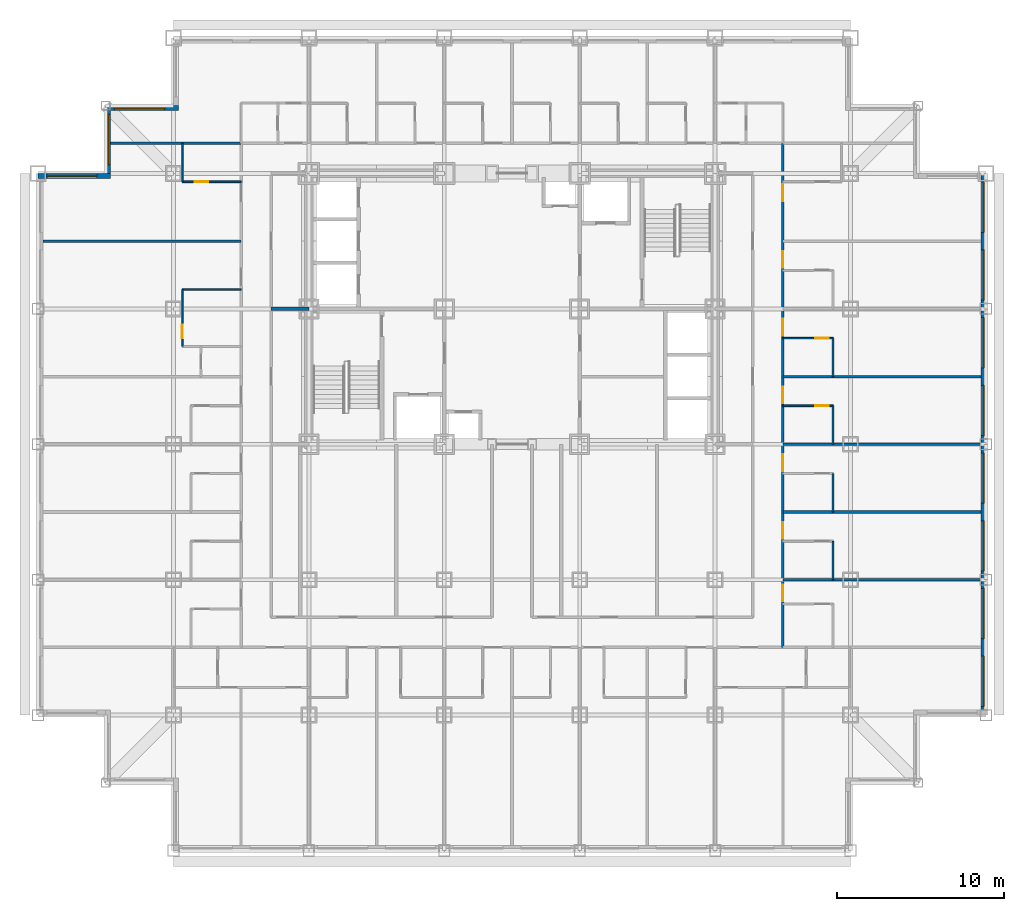
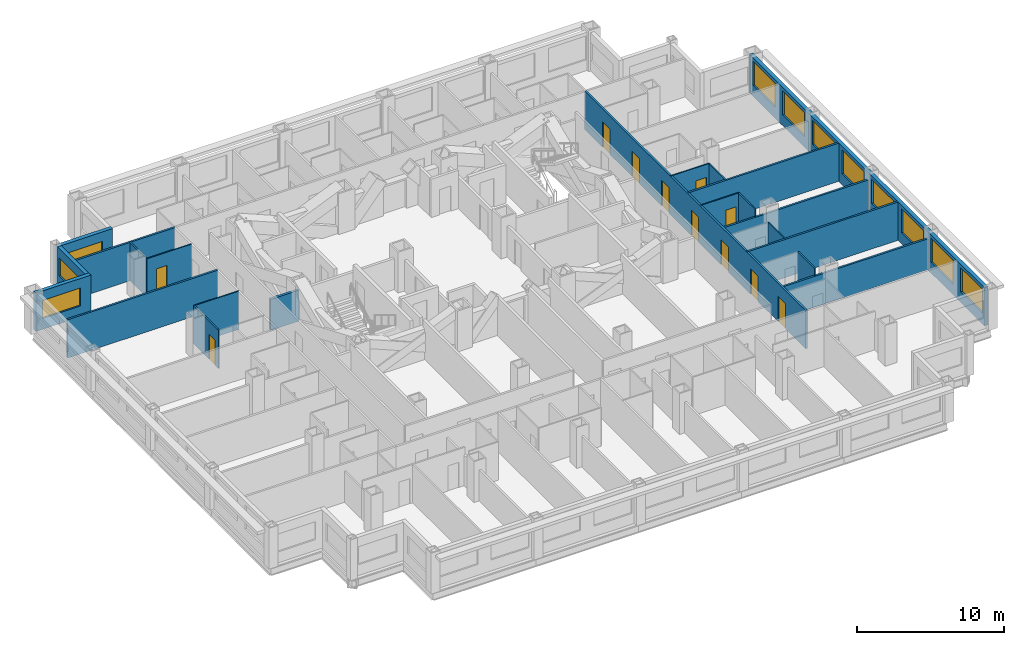
# One storey, part 7 of 11: 22 walls, 11 doors, 11 windows, 22 openings.
"""IFC4 building model written with IfcOpenShell, lengths in metres."""

from ifc_helpers import new_model, si_unit, direction, frame, frame_2d, origin, place, context, subcontext, project, spatial, rectangle, extrude, material, layer, layer_set, type_object, element, fill, save


model = new_model("IFC4")

# Units and contexts
model_context = context("Model", 3, precision=1e-05, world=origin(), true_north=direction((0.0, 1.0)))
body_context = subcontext(model_context, "Body", "Model", "MODEL_VIEW")
ifc_project = project(units=[si_unit("LENGTHUNIT", "METRE"), si_unit("AREAUNIT", "SQUARE_METRE"), si_unit("VOLUMEUNIT", "CUBIC_METRE"), si_unit("PLANEANGLEUNIT", "RADIAN"), si_unit("MASSUNIT", "GRAM", prefix="KILO")], contexts=[model_context])

# Site, building, storey
site_placement = place(None, origin())
site = spatial("IfcSite", under=ifc_project, at=site_placement, CompositionType="ELEMENT")
building_placement = place(site_placement, origin())
building = spatial("IfcBuilding", under=site, at=building_placement, Name="Kopane Lantern Tower", CompositionType="ELEMENT")
storey_placement = place(building_placement, frame((0.0, 0.0, 60.199951171875)))
storey = spatial("IfcBuildingStorey", under=building, at=storey_placement, Name="L14", CompositionType="ELEMENT", Elevation=60.199951171875)

# Wall, opening, door
ifc_material_1 = material(Name="Moisture-resistant board on steel studs", Category="steel")
ifc_layer_1 = layer(ifc_material_1, 0.10009765625)
ifc_layer_set_1 = layer_set([ifc_layer_1], Name="BATHROOM WALL 100")
wall_type_1 = type_object("IfcWallType", Name="BATHROOM WALL 100", PredefinedType="PARTITIONING", material=ifc_layer_set_1)
wall_1_placement = place(storey_placement, frame((8.635009765625, 30.14990234375, 0.0), z_axis=(0.0, 0.0, 1.0), x_axis=(0.0, 1.0, 0.0)))
wall_1 = element("IfcWall", 1, at=wall_1_placement, inside=storey, type_object=wall_type_1, Name="Bathroom Wall 100 L14", PredefinedType="PARTITIONING", context=body_context, shape_type="SweptSolid", body=[
    extrude(rectangle(XDim=3.400146484375, YDim=0.10009765625, at=frame_2d((1.7001953125, 0.0))), origin(), (0.0, 0.0, 1.0), 3.18994140625),
])
opening_1_placement = place(wall_1_placement, frame((0.487548828125, 0.0, 0.0)))
opening_1 = element("IfcOpeningElement", 2, at=opening_1_placement, cuts=wall_1, Name="Opening L14-043", PredefinedType="OPENING", context=body_context, shape_type="SweptSolid", body=[
    extrude(rectangle(XDim=0.800048828125, YDim=2.10009765625, at=frame_2d((0.39990234375, 1.050048828125))), frame((0.0, 0.06005859375, 0.0), z_axis=(0.0, -1.0, 0.0), x_axis=(1.0, 0.0, 0.0)), (0.0, 0.0, 1.0), 0.1201171875),
])
ifc_material_2 = material(Name="Timber door set", Category="wood")
door_type_1 = type_object("IfcDoorType", Name="DOOR D2 800x2100", OperationType="SINGLE_SWING_LEFT", PredefinedType="DOOR", material=ifc_material_2)
door_1_placement = place(opening_1_placement, origin())
door_1 = element("IfcDoor", 3, at=door_1_placement, inside=storey, type_object=door_type_1, Name="Door L14-043", OperationType="SINGLE_SWING_RIGHT", OverallHeight=2.10009765625, OverallWidth=0.800048828125, PredefinedType="DOOR", context=body_context, shape_type="SweptSolid", body=[
    extrude(rectangle(XDim=0.800048828125, YDim=2.10009765625, at=frame_2d((0.39990234375, 1.050048828125))), frame((0.0, 0.02490234375, 0.0), z_axis=(0.0, -1.0, 0.0), x_axis=(1.0, 0.0, 0.0)), (0.0, 0.0, 1.0), 0.050048828125),
])
fill(opening_1, door_1)

# Walls
wall_2_placement = place(storey_placement, frame((12.14990234375, 33.550048828125, 0.0), z_axis=(0.0, 0.0, 1.0), x_axis=(-1.0, 0.0, 0.0)))
element("IfcWall", 4, at=wall_2_placement, inside=storey, type_object=wall_type_1, Name="Bathroom Wall 100 L14", PredefinedType="PARTITIONING", context=body_context, shape_type="SweptSolid", body=[
    extrude(rectangle(XDim=3.514892578125, YDim=0.10009765625, at=frame_2d((1.75732421875, 0.0))), origin(), (0.0, 0.0, 1.0), 3.18994140625),
])
wall_3_placement = place(storey_placement, frame((8.635009765625, 40.0, 0.0), z_axis=(0.0, 0.0, 1.0), x_axis=(0.0, 1.0, 0.0)))
element("IfcWall", 5, at=wall_3_placement, inside=storey, type_object=wall_type_1, Name="Bathroom Wall 100 L14", PredefinedType="PARTITIONING", context=body_context, shape_type="SweptSolid", body=[
    extrude(rectangle(XDim=2.300048828125, YDim=0.10009765625, at=frame_2d((1.14990234375, 0.0))), origin(), (0.0, 0.0, 1.0), 3.18994140625),
])

# Wall, opening, door
wall_4_placement = place(storey_placement, frame((12.14990234375, 40.0, 0.0), z_axis=(0.0, 0.0, 1.0), x_axis=(-1.0, 0.0, 0.0)))
wall_4 = element("IfcWall", 6, at=wall_4_placement, inside=storey, type_object=wall_type_1, Name="Bathroom Wall 100 L14", PredefinedType="PARTITIONING", context=body_context, shape_type="SweptSolid", body=[
    extrude(rectangle(XDim=3.514892578125, YDim=0.10009765625, at=frame_2d((1.75732421875, 0.0))), origin(), (0.0, 0.0, 1.0), 3.18994140625),
])
opening_2_placement = place(wall_4_placement, frame((1.965087890625, 0.0, 0.0)))
opening_2 = element("IfcOpeningElement", 7, at=opening_2_placement, cuts=wall_4, Name="Opening L14-046", PredefinedType="OPENING", context=body_context, shape_type="SweptSolid", body=[
    extrude(rectangle(XDim=0.800048828125, YDim=2.10009765625, at=frame_2d((0.39990234375, 1.050048828125))), frame((0.0, 0.06005859375, 0.0), z_axis=(0.0, -1.0, 0.0), x_axis=(1.0, 0.0, 0.0)), (0.0, 0.0, 1.0), 0.1201171875),
])
door_2_placement = place(opening_2_placement, origin())
door_2 = element("IfcDoor", 8, at=door_2_placement, inside=storey, type_object=door_type_1, Name="Door L14-046", OperationType="SINGLE_SWING_LEFT", OverallHeight=2.10009765625, OverallWidth=0.800048828125, PredefinedType="DOOR", context=body_context, shape_type="SweptSolid", body=[
    extrude(rectangle(XDim=0.800048828125, YDim=2.10009765625, at=frame_2d((0.39990234375, 1.050048828125))), frame((0.0, 0.02490234375, 0.0), z_axis=(0.0, -1.0, 0.0), x_axis=(1.0, 0.0, 0.0)), (0.0, 0.0, 1.0), 0.050048828125),
])
fill(opening_2, door_2)

# Walls
for number, where, z_axis, x_axis, name in (
    (9, (47.550048828125, 16.199951171875, 0.0), (0.0, 0.0, 1.0), (0.0, 1.0, 0.0), "Bathroom Wall 100 L14"),
    (10, (47.550048828125, 20.25, 0.0), (0.0, 0.0, 1.0), (0.0, 1.0, 0.0), "Bathroom Wall 100 L14"),
    (11, (47.550048828125, 24.300048828125, 0.0), (0.0, 0.0, 1.0), (0.0, 1.0, 0.0), "Bathroom Wall 100 L14"),
):
    element("IfcWall", number, at=place(storey_placement, frame(where, z_axis=z_axis, x_axis=x_axis)), inside=storey, type_object=wall_type_1, Name=name, PredefinedType="PARTITIONING", context=body_context, shape_type="SweptSolid", body=[
        extrude(rectangle(XDim=2.300048828125, YDim=0.10009765625, at=frame_2d((1.14990234375, 0.0))), origin(), (0.0, 0.0, 1.0), 3.18994140625),
    ])

# Wall, opening, door
wall_5_placement = place(storey_placement, frame((44.550048828125, 26.60009765625, 0.0), z_axis=(0.0, 0.0, 1.0), x_axis=(1.0, 0.0, 0.0)))
wall_5 = element("IfcWall", 12, at=wall_5_placement, inside=storey, type_object=wall_type_1, Name="Bathroom Wall 100 L14", PredefinedType="PARTITIONING", context=body_context, shape_type="SweptSolid", body=[
    extrude(rectangle(XDim=3.0, YDim=0.10009765625, at=frame_2d((1.5, 0.0))), origin(), (0.0, 0.0, 1.0), 3.18994140625),
])
opening_3_placement = place(wall_5_placement, frame((1.949951171875, 0.0, 0.0)))
opening_3 = element("IfcOpeningElement", 13, at=opening_3_placement, cuts=wall_5, Name="Opening L14-054", PredefinedType="OPENING", context=body_context, shape_type="SweptSolid", body=[
    extrude(rectangle(XDim=0.800048828125, YDim=2.10009765625, at=frame_2d((0.39990234375, 1.050048828125))), frame((0.0, 0.06005859375, 0.0), z_axis=(0.0, -1.0, 0.0), x_axis=(1.0, 0.0, 0.0)), (0.0, 0.0, 1.0), 0.1201171875),
])
door_3_placement = place(opening_3_placement, origin())
door_3 = element("IfcDoor", 14, at=door_3_placement, inside=storey, type_object=door_type_1, Name="Door L14-054", OperationType="SINGLE_SWING_LEFT", OverallHeight=2.10009765625, OverallWidth=0.800048828125, PredefinedType="DOOR", context=body_context, shape_type="SweptSolid", body=[
    extrude(rectangle(XDim=0.800048828125, YDim=2.10009765625, at=frame_2d((0.39990234375, 1.050048828125))), frame((0.0, 0.02490234375, 0.0), z_axis=(0.0, -1.0, 0.0), x_axis=(1.0, 0.0, 0.0)), (0.0, 0.0, 1.0), 0.050048828125),
])
fill(opening_3, door_3)

# Wall
wall_6_placement = place(storey_placement, frame((47.550048828125, 28.35009765625, 0.0), z_axis=(0.0, 0.0, 1.0), x_axis=(0.0, 1.0, 0.0)))
element("IfcWall", 15, at=wall_6_placement, inside=storey, type_object=wall_type_1, Name="Bathroom Wall 100 L14", PredefinedType="PARTITIONING", context=body_context, shape_type="SweptSolid", body=[
    extrude(rectangle(XDim=2.2998046875, YDim=0.10009765625, at=frame_2d((1.14990234375, 0.0))), origin(), (0.0, 0.0, 1.0), 3.18994140625),
])

# Wall, opening, door
wall_7_placement = place(storey_placement, frame((44.550048828125, 30.64990234375, 0.0), z_axis=(0.0, 0.0, 1.0), x_axis=(1.0, 0.0, 0.0)))
wall_7 = element("IfcWall", 16, at=wall_7_placement, inside=storey, type_object=wall_type_1, Name="Bathroom Wall 100 L14", PredefinedType="PARTITIONING", context=body_context, shape_type="SweptSolid", body=[
    extrude(rectangle(XDim=3.0, YDim=0.10009765625, at=frame_2d((1.5, 0.0))), origin(), (0.0, 0.0, 1.0), 3.18994140625),
])
opening_4_placement = place(wall_7_placement, frame((1.949951171875, 0.0, 0.0)))
opening_4 = element("IfcOpeningElement", 17, at=opening_4_placement, cuts=wall_7, Name="Opening L14-056", PredefinedType="OPENING", context=body_context, shape_type="SweptSolid", body=[
    extrude(rectangle(XDim=0.800048828125, YDim=2.10009765625, at=frame_2d((0.39990234375, 1.050048828125))), frame((0.0, 0.06005859375, 0.0), z_axis=(0.0, -1.0, 0.0), x_axis=(1.0, 0.0, 0.0)), (0.0, 0.0, 1.0), 0.1201171875),
])
door_4_placement = place(opening_4_placement, origin())
door_4 = element("IfcDoor", 18, at=door_4_placement, inside=storey, type_object=door_type_1, Name="Door L14-056", OperationType="SINGLE_SWING_LEFT", OverallHeight=2.10009765625, OverallWidth=0.800048828125, PredefinedType="DOOR", context=body_context, shape_type="SweptSolid", body=[
    extrude(rectangle(XDim=0.800048828125, YDim=2.10009765625, at=frame_2d((0.39990234375, 1.050048828125))), frame((0.0, 0.02490234375, 0.0), z_axis=(0.0, -1.0, 0.0), x_axis=(1.0, 0.0, 0.0)), (0.0, 0.0, 1.0), 0.050048828125),
])
fill(opening_4, door_4)

# Wall, openings, doors
ifc_material_3 = material(Name="Gypsum board on steel studs", Category="steel")
ifc_layer_2 = layer(ifc_material_3, 0.14990234375)
ifc_layer_set_2 = layer_set([ifc_layer_2], Name="CORRIDOR WALL 150 EI 60")
wall_type_2 = type_object("IfcWallType", Name="CORRIDOR WALL 150 EI 60", PredefinedType="PARTITIONING", material=ifc_layer_set_2)
wall_8_placement = place(storey_placement, frame((44.550048828125, 12.14990234375, 0.0), z_axis=(0.0, 0.0, 1.0), x_axis=(0.0, 1.0, 0.0)))
wall_8 = element("IfcWall", 19, at=wall_8_placement, inside=storey, type_object=wall_type_2, Name="Corridor Wall 150 Ei 60 L14", PredefinedType="PARTITIONING", context=body_context, shape_type="SweptSolid", body=[
    extrude(rectangle(XDim=30.150146484375, YDim=0.14990234375, at=frame_2d((15.0751953125, 0.0))), origin(), (0.0, 0.0, 1.0), 3.18994140625),
])
opening_5_placement = place(wall_8_placement, frame((2.75, 0.0, 0.0)))
opening_5 = element("IfcOpeningElement", 20, at=opening_5_placement, cuts=wall_8, Name="Opening L14-049", PredefinedType="OPENING", context=body_context, shape_type="SweptSolid", body=[
    extrude(rectangle(XDim=1.0, YDim=2.10009765625, at=frame_2d((0.5, 1.050048828125))), frame((0.0, 0.0849609375, 0.0), z_axis=(0.0, -1.0, 0.0), x_axis=(1.0, 0.0, 0.0)), (0.0, 0.0, 1.0), 0.169921875),
])
opening_6_placement = place(wall_8_placement, frame((6.5, 0.0, 0.0)))
opening_6 = element("IfcOpeningElement", 21, at=opening_6_placement, cuts=wall_8, Name="Opening L14-051", PredefinedType="OPENING", context=body_context, shape_type="SweptSolid", body=[
    extrude(rectangle(XDim=1.0, YDim=2.10009765625, at=frame_2d((0.5, 1.050048828125))), frame((0.0, 0.0849609375, 0.0), z_axis=(0.0, -1.0, 0.0), x_axis=(1.0, 0.0, 0.0)), (0.0, 0.0, 1.0), 0.169921875),
])
opening_7_placement = place(wall_8_placement, frame((10.550048828125, 0.0, 0.0)))
opening_7 = element("IfcOpeningElement", 22, at=opening_7_placement, cuts=wall_8, Name="Opening L14-053", PredefinedType="OPENING", context=body_context, shape_type="SweptSolid", body=[
    extrude(rectangle(XDim=1.0, YDim=2.10009765625, at=frame_2d((0.5, 1.050048828125))), frame((0.0, 0.0849609375, 0.0), z_axis=(0.0, -1.0, 0.0), x_axis=(1.0, 0.0, 0.0)), (0.0, 0.0, 1.0), 0.169921875),
])
opening_8_placement = place(wall_8_placement, frame((14.60009765625, 0.0, 0.0)))
opening_8 = element("IfcOpeningElement", 23, at=opening_8_placement, cuts=wall_8, Name="Opening L14-055", PredefinedType="OPENING", context=body_context, shape_type="SweptSolid", body=[
    extrude(rectangle(XDim=1.0, YDim=2.10009765625, at=frame_2d((0.5, 1.050048828125))), frame((0.0, 0.0849609375, 0.0), z_axis=(0.0, -1.0, 0.0), x_axis=(1.0, 0.0, 0.0)), (0.0, 0.0, 1.0), 0.169921875),
])
opening_9_placement = place(wall_8_placement, frame((18.64990234375, 0.0, 0.0)))
opening_9 = element("IfcOpeningElement", 24, at=opening_9_placement, cuts=wall_8, Name="Opening L14-057", PredefinedType="OPENING", context=body_context, shape_type="SweptSolid", body=[
    extrude(rectangle(XDim=1.0, YDim=2.10009765625, at=frame_2d((0.5, 1.050048828125))), frame((0.0, 0.0849609375, 0.0), z_axis=(0.0, -1.0, 0.0), x_axis=(1.0, 0.0, 0.0)), (0.0, 0.0, 1.0), 0.169921875),
])
opening_10_placement = place(wall_8_placement, frame((22.699951171875, 0.0, 0.0)))
opening_10 = element("IfcOpeningElement", 25, at=opening_10_placement, cuts=wall_8, Name="Opening L14-059", PredefinedType="OPENING", context=body_context, shape_type="SweptSolid", body=[
    extrude(rectangle(XDim=1.0, YDim=2.10009765625, at=frame_2d((0.5, 1.050048828125))), frame((0.0, 0.0849609375, 0.0), z_axis=(0.0, -1.0, 0.0), x_axis=(1.0, 0.0, 0.0)), (0.0, 0.0, 1.0), 0.169921875),
])
opening_11_placement = place(wall_8_placement, frame((26.699951171875, 0.0, 0.0)))
opening_11 = element("IfcOpeningElement", 26, at=opening_11_placement, cuts=wall_8, Name="Opening L14-061", PredefinedType="OPENING", context=body_context, shape_type="SweptSolid", body=[
    extrude(rectangle(XDim=1.0, YDim=2.10009765625, at=frame_2d((0.5, 1.050048828125))), frame((0.0, 0.0849609375, 0.0), z_axis=(0.0, -1.0, 0.0), x_axis=(1.0, 0.0, 0.0)), (0.0, 0.0, 1.0), 0.169921875),
])
ifc_material_4 = material(Name="Steel door set", Category="steel")
door_type_2 = type_object("IfcDoorType", Name="DOOR D1 1000x2100 FD30S", OperationType="SINGLE_SWING_LEFT", PredefinedType="DOOR", material=ifc_material_4)
door_5_placement = place(opening_5_placement, origin())
door_5 = element("IfcDoor", 27, at=door_5_placement, inside=storey, type_object=door_type_2, Name="Door L14-049", OperationType="SINGLE_SWING_RIGHT", OverallHeight=2.10009765625, OverallWidth=1.0, PredefinedType="DOOR", context=body_context, shape_type="SweptSolid", body=[
    extrude(rectangle(XDim=1.0, YDim=2.10009765625, at=frame_2d((0.5, 1.050048828125))), frame((0.0, 0.02490234375, 0.0), z_axis=(0.0, -1.0, 0.0), x_axis=(1.0, 0.0, 0.0)), (0.0, 0.0, 1.0), 0.050048828125),
])
fill(opening_5, door_5)
door_6_placement = place(opening_6_placement, origin())
door_6 = element("IfcDoor", 28, at=door_6_placement, inside=storey, type_object=door_type_2, Name="Door L14-051", OperationType="SINGLE_SWING_RIGHT", OverallHeight=2.10009765625, OverallWidth=1.0, PredefinedType="DOOR", context=body_context, shape_type="SweptSolid", body=[
    extrude(rectangle(XDim=1.0, YDim=2.10009765625, at=frame_2d((0.5, 1.050048828125))), frame((0.0, 0.02490234375, 0.0), z_axis=(0.0, -1.0, 0.0), x_axis=(1.0, 0.0, 0.0)), (0.0, 0.0, 1.0), 0.050048828125),
])
fill(opening_6, door_6)
door_7_placement = place(opening_7_placement, origin())
door_7 = element("IfcDoor", 29, at=door_7_placement, inside=storey, type_object=door_type_2, Name="Door L14-053", OperationType="SINGLE_SWING_RIGHT", OverallHeight=2.10009765625, OverallWidth=1.0, PredefinedType="DOOR", context=body_context, shape_type="SweptSolid", body=[
    extrude(rectangle(XDim=1.0, YDim=2.10009765625, at=frame_2d((0.5, 1.050048828125))), frame((0.0, 0.02490234375, 0.0), z_axis=(0.0, -1.0, 0.0), x_axis=(1.0, 0.0, 0.0)), (0.0, 0.0, 1.0), 0.050048828125),
])
fill(opening_7, door_7)
door_8_placement = place(opening_8_placement, origin())
door_8 = element("IfcDoor", 30, at=door_8_placement, inside=storey, type_object=door_type_2, Name="Door L14-055", OperationType="SINGLE_SWING_RIGHT", OverallHeight=2.10009765625, OverallWidth=1.0, PredefinedType="DOOR", context=body_context, shape_type="SweptSolid", body=[
    extrude(rectangle(XDim=1.0, YDim=2.10009765625, at=frame_2d((0.5, 1.050048828125))), frame((0.0, 0.02490234375, 0.0), z_axis=(0.0, -1.0, 0.0), x_axis=(1.0, 0.0, 0.0)), (0.0, 0.0, 1.0), 0.050048828125),
])
fill(opening_8, door_8)
door_9_placement = place(opening_9_placement, origin())
door_9 = element("IfcDoor", 31, at=door_9_placement, inside=storey, type_object=door_type_2, Name="Door L14-057", OperationType="SINGLE_SWING_RIGHT", OverallHeight=2.10009765625, OverallWidth=1.0, PredefinedType="DOOR", context=body_context, shape_type="SweptSolid", body=[
    extrude(rectangle(XDim=1.0, YDim=2.10009765625, at=frame_2d((0.5, 1.050048828125))), frame((0.0, 0.02490234375, 0.0), z_axis=(0.0, -1.0, 0.0), x_axis=(1.0, 0.0, 0.0)), (0.0, 0.0, 1.0), 0.050048828125),
])
fill(opening_9, door_9)
door_10_placement = place(opening_10_placement, origin())
door_10 = element("IfcDoor", 32, at=door_10_placement, inside=storey, type_object=door_type_2, Name="Door L14-059", OperationType="SINGLE_SWING_RIGHT", OverallHeight=2.10009765625, OverallWidth=1.0, PredefinedType="DOOR", context=body_context, shape_type="SweptSolid", body=[
    extrude(rectangle(XDim=1.0, YDim=2.10009765625, at=frame_2d((0.5, 1.050048828125))), frame((0.0, 0.02490234375, 0.0), z_axis=(0.0, -1.0, 0.0), x_axis=(1.0, 0.0, 0.0)), (0.0, 0.0, 1.0), 0.050048828125),
])
fill(opening_10, door_10)
door_11_placement = place(opening_11_placement, origin())
door_11 = element("IfcDoor", 33, at=door_11_placement, inside=storey, type_object=door_type_2, Name="Door L14-061", OperationType="SINGLE_SWING_LEFT", OverallHeight=2.10009765625, OverallWidth=1.0, PredefinedType="DOOR", context=body_context, shape_type="SweptSolid", body=[
    extrude(rectangle(XDim=1.0, YDim=2.10009765625, at=frame_2d((0.5, 1.050048828125))), frame((0.0, 0.02490234375, 0.0), z_axis=(0.0, -1.0, 0.0), x_axis=(1.0, 0.0, 0.0)), (0.0, 0.0, 1.0), 0.050048828125),
])
fill(opening_11, door_11)

# Walls
ifc_material_5 = material(Name="Gypsum board on steel studs", Category="steel")
ifc_layer_3 = layer(ifc_material_5, 0.14990234375)
ifc_layer_set_3 = layer_set([ifc_layer_3], Name="DEMISING WALL 150 EI 60")
wall_type_3 = type_object("IfcWallType", Name="DEMISING WALL 150 EI 60", PredefinedType="PARTITIONING", material=ifc_layer_set_3)
wall_9_placement = place(storey_placement, frame((12.14990234375, 36.449951171875, 0.0), z_axis=(0.0, 0.0, 1.0), x_axis=(-1.0, 0.0, 0.0)))
element("IfcWall", 34, at=wall_9_placement, inside=storey, type_object=wall_type_3, Name="Demising Wall 150 Ei 60 L14", PredefinedType="PARTITIONING", context=body_context, shape_type="SweptSolid", body=[
    extrude(rectangle(XDim=11.849853515625, YDim=0.14990234375, at=frame_2d((5.9248046875, 0.0))), origin(), (0.0, 0.0, 1.0), 3.18994140625),
])
wall_10_placement = place(storey_placement, frame((44.550048828125, 16.199951171875, 0.0), z_axis=(0.0, 0.0, 1.0), x_axis=(1.0, 0.0, 0.0)))
element("IfcWall", 35, at=wall_10_placement, inside=storey, type_object=wall_type_3, Name="Demising Wall 150 Ei 60 L14", PredefinedType="PARTITIONING", context=body_context, shape_type="SweptSolid", body=[
    extrude(rectangle(XDim=11.849853515625, YDim=0.14990234375, at=frame_2d((5.9248046875, 0.0))), origin(), (0.0, 0.0, 1.0), 2.577880859375),
])
wall_11_placement = place(storey_placement, frame((44.550048828125, 20.25, 0.0), z_axis=(0.0, 0.0, 1.0), x_axis=(1.0, 0.0, 0.0)))
element("IfcWall", 36, at=wall_11_placement, inside=storey, type_object=wall_type_3, Name="Demising Wall 150 Ei 60 L14", PredefinedType="PARTITIONING", context=body_context, shape_type="SweptSolid", body=[
    extrude(rectangle(XDim=11.849853515625, YDim=0.14990234375, at=frame_2d((5.9248046875, 0.0))), origin(), (0.0, 0.0, 1.0), 3.18994140625),
])
wall_12_placement = place(storey_placement, frame((44.550048828125, 24.300048828125, 0.0), z_axis=(0.0, 0.0, 1.0), x_axis=(1.0, 0.0, 0.0)))
element("IfcWall", 37, at=wall_12_placement, inside=storey, type_object=wall_type_3, Name="Demising Wall 150 Ei 60 L14", PredefinedType="PARTITIONING", context=body_context, shape_type="SweptSolid", body=[
    extrude(rectangle(XDim=11.849853515625, YDim=0.14990234375, at=frame_2d((5.9248046875, 0.0))), origin(), (0.0, 0.0, 1.0), 2.577880859375),
])
wall_13_placement = place(storey_placement, frame((44.550048828125, 28.35009765625, 0.0), z_axis=(0.0, 0.0, 1.0), x_axis=(1.0, 0.0, 0.0)))
element("IfcWall", 38, at=wall_13_placement, inside=storey, type_object=wall_type_3, Name="Demising Wall 150 Ei 60 L14", PredefinedType="PARTITIONING", context=body_context, shape_type="SweptSolid", body=[
    extrude(rectangle(XDim=11.849853515625, YDim=0.14990234375, at=frame_2d((5.9248046875, 0.0))), origin(), (0.0, 0.0, 1.0), 3.18994140625),
])
wall_14_placement = place(storey_placement, frame((4.35009765625, 42.300048828125, 0.0), z_axis=(0.0, 0.0, 1.0), x_axis=(1.0, 0.0, 0.0)))
element("IfcWall", 39, at=wall_14_placement, inside=storey, type_object=wall_type_3, Name="Demising Wall 150 Ei 60 L14", PredefinedType="PARTITIONING", context=body_context, shape_type="SweptSolid", body=[
    extrude(rectangle(XDim=7.7998046875, YDim=0.14990234375, at=frame_2d((3.89990234375, 0.0))), origin(), (0.0, 0.0, 1.0), 3.18994140625),
])

# Wall, openings, windows
ifc_material_6 = material(Name="Terracotta rainscreen on light steel framing", Category="masonry")
ifc_layer_4 = layer(ifc_material_6, 0.300048828125)
ifc_layer_set_4 = layer_set([ifc_layer_4], Name="EXTERNAL WALL EW1 300 TERRACOTTA")
wall_type_4 = type_object("IfcWallType", Name="EXTERNAL WALL EW1 300 TERRACOTTA", PredefinedType="SOLIDWALL", material=ifc_layer_set_4)
wall_15_placement = place(storey_placement, frame((56.550048828125, 8.39990234375, 0.0), z_axis=(0.0, 0.0, 1.0), x_axis=(0.0, 1.0, 0.0)))
wall_15 = element("IfcWall", 40, at=wall_15_placement, inside=storey, type_object=wall_type_4, Name="External wall E L14", PredefinedType="SOLIDWALL", context=body_context, shape_type="SweptSolid", body=[
    extrude(rectangle(XDim=32.10009765625, YDim=0.300048828125, at=frame_2d((16.050048828125, 0.0))), origin(), (0.0, 0.0, 1.0), 3.18994140625),
])
opening_12_placement = place(wall_15_placement, frame((0.22509765625, 0.0, 0.89990234375)))
opening_12 = element("IfcOpeningElement", 41, at=opening_12_placement, cuts=wall_15, Name="Opening WR300200", PredefinedType="OPENING", context=body_context, shape_type="SweptSolid", body=[
    extrude(rectangle(XDim=3.0, YDim=2.0, at=frame_2d((1.5, 1.0))), frame((0.0, 0.159912109375, 0.0), z_axis=(0.0, -1.0, 0.0), x_axis=(1.0, 0.0, 0.0)), (0.0, 0.0, 1.0), 0.320068359375),
])
opening_13_placement = place(wall_15_placement, frame((4.27490234375, 0.0, 0.89990234375)))
opening_13 = element("IfcOpeningElement", 42, at=opening_13_placement, cuts=wall_15, Name="Opening WR300200", PredefinedType="OPENING", context=body_context, shape_type="SweptSolid", body=[
    extrude(rectangle(XDim=3.0, YDim=2.0, at=frame_2d((1.5, 1.0))), frame((0.0, 0.159912109375, 0.0), z_axis=(0.0, -1.0, 0.0), x_axis=(1.0, 0.0, 0.0)), (0.0, 0.0, 1.0), 0.320068359375),
])
opening_14_placement = place(wall_15_placement, frame((8.324951171875, 0.0, 0.89990234375)))
opening_14 = element("IfcOpeningElement", 43, at=opening_14_placement, cuts=wall_15, Name="Opening WR300200", PredefinedType="OPENING", context=body_context, shape_type="SweptSolid", body=[
    extrude(rectangle(XDim=3.0, YDim=2.0, at=frame_2d((1.5, 1.0))), frame((0.0, 0.159912109375, 0.0), z_axis=(0.0, -1.0, 0.0), x_axis=(1.0, 0.0, 0.0)), (0.0, 0.0, 1.0), 0.320068359375),
])
opening_15_placement = place(wall_15_placement, frame((12.375, 0.0, 0.89990234375)))
opening_15 = element("IfcOpeningElement", 44, at=opening_15_placement, cuts=wall_15, Name="Opening WR300200", PredefinedType="OPENING", context=body_context, shape_type="SweptSolid", body=[
    extrude(rectangle(XDim=3.0, YDim=2.0, at=frame_2d((1.5, 1.0))), frame((0.0, 0.159912109375, 0.0), z_axis=(0.0, -1.0, 0.0), x_axis=(1.0, 0.0, 0.0)), (0.0, 0.0, 1.0), 0.320068359375),
])
opening_16_placement = place(wall_15_placement, frame((16.425048828125, 0.0, 0.89990234375)))
opening_16 = element("IfcOpeningElement", 45, at=opening_16_placement, cuts=wall_15, Name="Opening WR300200", PredefinedType="OPENING", context=body_context, shape_type="SweptSolid", body=[
    extrude(rectangle(XDim=3.0, YDim=2.0, at=frame_2d((1.5, 1.0))), frame((0.0, 0.159912109375, 0.0), z_axis=(0.0, -1.0, 0.0), x_axis=(1.0, 0.0, 0.0)), (0.0, 0.0, 1.0), 0.320068359375),
])
opening_17_placement = place(wall_15_placement, frame((20.47509765625, 0.0, 0.89990234375)))
opening_17 = element("IfcOpeningElement", 46, at=opening_17_placement, cuts=wall_15, Name="Opening WR300200", PredefinedType="OPENING", context=body_context, shape_type="SweptSolid", body=[
    extrude(rectangle(XDim=3.0, YDim=2.0, at=frame_2d((1.5, 1.0))), frame((0.0, 0.159912109375, 0.0), z_axis=(0.0, -1.0, 0.0), x_axis=(1.0, 0.0, 0.0)), (0.0, 0.0, 1.0), 0.320068359375),
])
opening_18_placement = place(wall_15_placement, frame((24.52490234375, 0.0, 0.89990234375)))
opening_18 = element("IfcOpeningElement", 47, at=opening_18_placement, cuts=wall_15, Name="Opening WR300200", PredefinedType="OPENING", context=body_context, shape_type="SweptSolid", body=[
    extrude(rectangle(XDim=3.0, YDim=2.0, at=frame_2d((1.5, 1.0))), frame((0.0, 0.159912109375, 0.0), z_axis=(0.0, -1.0, 0.0), x_axis=(1.0, 0.0, 0.0)), (0.0, 0.0, 1.0), 0.320068359375),
])
opening_19_placement = place(wall_15_placement, frame((28.574951171875, 0.0, 0.89990234375)))
opening_19 = element("IfcOpeningElement", 48, at=opening_19_placement, cuts=wall_15, Name="Opening WR300200", PredefinedType="OPENING", context=body_context, shape_type="SweptSolid", body=[
    extrude(rectangle(XDim=3.0, YDim=2.0, at=frame_2d((1.5, 1.0))), frame((0.0, 0.159912109375, 0.0), z_axis=(0.0, -1.0, 0.0), x_axis=(1.0, 0.0, 0.0)), (0.0, 0.0, 1.0), 0.320068359375),
])
ifc_material_7 = material(Name="Aluminium and clear glass", Category="aluminium")
window_type_1 = type_object("IfcWindowType", Name="RIBBON WINDOW WR300200 3000x2000", PartitioningType="SINGLE_PANEL", PredefinedType="WINDOW", material=ifc_material_7)
window_1_placement = place(opening_12_placement, origin())
window_1 = element("IfcWindow", 49, at=window_1_placement, inside=storey, type_object=window_type_1, Name="Window E L14", OverallHeight=2.0, OverallWidth=3.0, PartitioningType="SINGLE_PANEL", PredefinedType="WINDOW", context=body_context, shape_type="SweptSolid", body=[
    extrude(rectangle(XDim=3.0, YDim=2.0, at=frame_2d((1.5, 1.0))), frame((0.0, 0.030029296875, 0.0), z_axis=(0.0, -1.0, 0.0), x_axis=(1.0, 0.0, 0.0)), (0.0, 0.0, 1.0), 0.06005859375),
])
fill(opening_12, window_1)
window_2_placement = place(opening_13_placement, origin())
window_2 = element("IfcWindow", 50, at=window_2_placement, inside=storey, type_object=window_type_1, Name="Window E L14", OverallHeight=2.0, OverallWidth=3.0, PartitioningType="SINGLE_PANEL", PredefinedType="WINDOW", context=body_context, shape_type="SweptSolid", body=[
    extrude(rectangle(XDim=3.0, YDim=2.0, at=frame_2d((1.5, 1.0))), frame((0.0, 0.030029296875, 0.0), z_axis=(0.0, -1.0, 0.0), x_axis=(1.0, 0.0, 0.0)), (0.0, 0.0, 1.0), 0.06005859375),
])
fill(opening_13, window_2)
window_3_placement = place(opening_14_placement, origin())
window_3 = element("IfcWindow", 51, at=window_3_placement, inside=storey, type_object=window_type_1, Name="Window E L14", OverallHeight=2.0, OverallWidth=3.0, PartitioningType="SINGLE_PANEL", PredefinedType="WINDOW", context=body_context, shape_type="SweptSolid", body=[
    extrude(rectangle(XDim=3.0, YDim=2.0, at=frame_2d((1.5, 1.0))), frame((0.0, 0.030029296875, 0.0), z_axis=(0.0, -1.0, 0.0), x_axis=(1.0, 0.0, 0.0)), (0.0, 0.0, 1.0), 0.06005859375),
])
fill(opening_14, window_3)
window_4_placement = place(opening_15_placement, origin())
window_4 = element("IfcWindow", 52, at=window_4_placement, inside=storey, type_object=window_type_1, Name="Window E L14", OverallHeight=2.0, OverallWidth=3.0, PartitioningType="SINGLE_PANEL", PredefinedType="WINDOW", context=body_context, shape_type="SweptSolid", body=[
    extrude(rectangle(XDim=3.0, YDim=2.0, at=frame_2d((1.5, 1.0))), frame((0.0, 0.030029296875, 0.0), z_axis=(0.0, -1.0, 0.0), x_axis=(1.0, 0.0, 0.0)), (0.0, 0.0, 1.0), 0.06005859375),
])
fill(opening_15, window_4)
window_5_placement = place(opening_16_placement, origin())
window_5 = element("IfcWindow", 53, at=window_5_placement, inside=storey, type_object=window_type_1, Name="Window E L14", OverallHeight=2.0, OverallWidth=3.0, PartitioningType="SINGLE_PANEL", PredefinedType="WINDOW", context=body_context, shape_type="SweptSolid", body=[
    extrude(rectangle(XDim=3.0, YDim=2.0, at=frame_2d((1.5, 1.0))), frame((0.0, 0.030029296875, 0.0), z_axis=(0.0, -1.0, 0.0), x_axis=(1.0, 0.0, 0.0)), (0.0, 0.0, 1.0), 0.06005859375),
])
fill(opening_16, window_5)
window_6_placement = place(opening_17_placement, origin())
window_6 = element("IfcWindow", 54, at=window_6_placement, inside=storey, type_object=window_type_1, Name="Window E L14", OverallHeight=2.0, OverallWidth=3.0, PartitioningType="SINGLE_PANEL", PredefinedType="WINDOW", context=body_context, shape_type="SweptSolid", body=[
    extrude(rectangle(XDim=3.0, YDim=2.0, at=frame_2d((1.5, 1.0))), frame((0.0, 0.030029296875, 0.0), z_axis=(0.0, -1.0, 0.0), x_axis=(1.0, 0.0, 0.0)), (0.0, 0.0, 1.0), 0.06005859375),
])
fill(opening_17, window_6)
window_7_placement = place(opening_18_placement, origin())
window_7 = element("IfcWindow", 55, at=window_7_placement, inside=storey, type_object=window_type_1, Name="Window E L14", OverallHeight=2.0, OverallWidth=3.0, PartitioningType="SINGLE_PANEL", PredefinedType="WINDOW", context=body_context, shape_type="SweptSolid", body=[
    extrude(rectangle(XDim=3.0, YDim=2.0, at=frame_2d((1.5, 1.0))), frame((0.0, 0.030029296875, 0.0), z_axis=(0.0, -1.0, 0.0), x_axis=(1.0, 0.0, 0.0)), (0.0, 0.0, 1.0), 0.06005859375),
])
fill(opening_18, window_7)
window_8_placement = place(opening_19_placement, origin())
window_8 = element("IfcWindow", 56, at=window_8_placement, inside=storey, type_object=window_type_1, Name="Window E L14", OverallHeight=2.0, OverallWidth=3.0, PartitioningType="SINGLE_PANEL", PredefinedType="WINDOW", context=body_context, shape_type="SweptSolid", body=[
    extrude(rectangle(XDim=3.0, YDim=2.0, at=frame_2d((1.5, 1.0))), frame((0.0, 0.030029296875, 0.0), z_axis=(0.0, -1.0, 0.0), x_axis=(1.0, 0.0, 0.0)), (0.0, 0.0, 1.0), 0.06005859375),
])
fill(opening_19, window_8)

# Wall, opening, window
wall_16_placement = place(storey_placement, frame((8.39990234375, 44.39990234375, 0.0), z_axis=(0.0, 0.0, 1.0), x_axis=(-1.0, 0.0, 0.0)))
wall_16 = element("IfcWall", 57, at=wall_16_placement, inside=storey, type_object=wall_type_4, Name="External wall N L14", PredefinedType="SOLIDWALL", context=body_context, shape_type="SweptSolid", body=[
    extrude(rectangle(XDim=4.349853515625, YDim=0.300048828125, at=frame_2d((2.1748046875, 0.0))), origin(), (0.0, 0.0, 1.0), 3.18994140625),
])
opening_20_placement = place(wall_16_placement, frame((0.824951171875, 0.0, 0.89990234375)))
opening_20 = element("IfcOpeningElement", 58, at=opening_20_placement, cuts=wall_16, Name="Opening WR300150", PredefinedType="OPENING", context=body_context, shape_type="SweptSolid", body=[
    extrude(rectangle(XDim=3.0, YDim=1.5, at=frame_2d((1.5, 0.75))), frame((0.0, 0.159912109375, 0.0), z_axis=(0.0, -1.0, 0.0), x_axis=(1.0, 0.0, 0.0)), (0.0, 0.0, 1.0), 0.320068359375),
])
ifc_material_8 = material(Name="Aluminium and clear glass", Category="aluminium")
window_type_2 = type_object("IfcWindowType", Name="RIBBON WINDOW WR300150 3000x1500", PartitioningType="SINGLE_PANEL", PredefinedType="WINDOW", material=ifc_material_8)
window_9_placement = place(opening_20_placement, origin())
window_9 = element("IfcWindow", 59, at=window_9_placement, inside=storey, type_object=window_type_2, Name="Window N L14", OverallHeight=1.5, OverallWidth=3.0, PartitioningType="SINGLE_PANEL", PredefinedType="WINDOW", context=body_context, shape_type="SweptSolid", body=[
    extrude(rectangle(XDim=3.0, YDim=1.5, at=frame_2d((1.5, 0.75))), frame((0.0, 0.030029296875, 0.0), z_axis=(0.0, -1.0, 0.0), x_axis=(1.0, 0.0, 0.0)), (0.0, 0.0, 1.0), 0.06005859375),
])
fill(opening_20, window_9)

wall_17_placement = place(storey_placement, frame((4.199951171875, 44.25, 0.0), z_axis=(0.0, 0.0, 1.0), x_axis=(0.0, -1.0, 0.0)))
wall_17 = element("IfcWall", 60, at=wall_17_placement, inside=storey, type_object=wall_type_4, Name="External wall W L14", PredefinedType="SOLIDWALL", context=body_context, shape_type="SweptSolid", body=[
    extrude(rectangle(XDim=3.75, YDim=0.300048828125, at=frame_2d((1.875, 0.0))), origin(), (0.0, 0.0, 1.0), 3.18994140625),
])
opening_21_placement = place(wall_17_placement, frame((0.22509765625, 0.0, 0.89990234375)))
opening_21 = element("IfcOpeningElement", 61, at=opening_21_placement, cuts=wall_17, Name="Opening WR300150", PredefinedType="OPENING", context=body_context, shape_type="SweptSolid", body=[
    extrude(rectangle(XDim=3.0, YDim=1.5, at=frame_2d((1.5, 0.75))), frame((0.0, 0.159912109375, 0.0), z_axis=(0.0, -1.0, 0.0), x_axis=(1.0, 0.0, 0.0)), (0.0, 0.0, 1.0), 0.320068359375),
])
window_10_placement = place(opening_21_placement, origin())
window_10 = element("IfcWindow", 62, at=window_10_placement, inside=storey, type_object=window_type_2, Name="Window W L14", OverallHeight=1.5, OverallWidth=3.0, PartitioningType="SINGLE_PANEL", PredefinedType="WINDOW", context=body_context, shape_type="SweptSolid", body=[
    extrude(rectangle(XDim=3.0, YDim=1.5, at=frame_2d((1.5, 0.75))), frame((0.0, 0.030029296875, 0.0), z_axis=(0.0, -1.0, 0.0), x_axis=(1.0, 0.0, 0.0)), (0.0, 0.0, 1.0), 0.06005859375),
])
fill(opening_21, window_10)

wall_18_placement = place(storey_placement, frame((4.35009765625, 40.35009765625, 0.0), z_axis=(0.0, 0.0, 1.0), x_axis=(-1.0, 0.0, 0.0)))
wall_18 = element("IfcWall", 63, at=wall_18_placement, inside=storey, type_object=wall_type_4, Name="External wall N L14", PredefinedType="SOLIDWALL", context=body_context, shape_type="SweptSolid", body=[
    extrude(rectangle(XDim=4.35009765625, YDim=0.300048828125, at=frame_2d((2.175048828125, 0.0))), origin(), (0.0, 0.0, 1.0), 3.18994140625),
])
opening_22_placement = place(wall_18_placement, frame((0.824951171875, 0.0, 0.89990234375)))
opening_22 = element("IfcOpeningElement", 64, at=opening_22_placement, cuts=wall_18, Name="Opening WR300150", PredefinedType="OPENING", context=body_context, shape_type="SweptSolid", body=[
    extrude(rectangle(XDim=3.0, YDim=1.5, at=frame_2d((1.5, 0.75))), frame((0.0, 0.159912109375, 0.0), z_axis=(0.0, -1.0, 0.0), x_axis=(1.0, 0.0, 0.0)), (0.0, 0.0, 1.0), 0.320068359375),
])
window_11_placement = place(opening_22_placement, origin())
window_11 = element("IfcWindow", 65, at=window_11_placement, inside=storey, type_object=window_type_2, Name="Window N L14", OverallHeight=1.5, OverallWidth=3.0, PartitioningType="SINGLE_PANEL", PredefinedType="WINDOW", context=body_context, shape_type="SweptSolid", body=[
    extrude(rectangle(XDim=3.0, YDim=1.5, at=frame_2d((1.5, 0.75))), frame((0.0, 0.030029296875, 0.0), z_axis=(0.0, -1.0, 0.0), x_axis=(1.0, 0.0, 0.0)), (0.0, 0.0, 1.0), 0.06005859375),
])
fill(opening_22, window_11)

# Wall
ifc_material_9 = material(Name="Concrete masonry", Category="masonry")
ifc_layer_5 = layer(ifc_material_9, 0.199951171875)
ifc_layer_set_5 = layer_set([ifc_layer_5], Name="PLANT ROOM WALL 200 EI 120")
wall_type_5 = type_object("IfcWallType", Name="PLANT ROOM WALL 200 EI 120", PredefinedType="SOLIDWALL", material=ifc_layer_set_5)
wall_19_placement = place(storey_placement, frame((13.949951171875, 32.39990234375, 0.0), z_axis=(0.0, 0.0, 1.0), x_axis=(1.0, 0.0, 0.0)))
element("IfcWall", 66, at=wall_19_placement, inside=storey, type_object=wall_type_5, Name="Plant Room Wall 200 Ei 120 L14", PredefinedType="SOLIDWALL", context=body_context, shape_type="SweptSolid", body=[
    extrude(rectangle(XDim=2.25, YDim=0.199951171875, at=frame_2d((1.125, 0.0))), origin(), (0.0, 0.0, 1.0), 2.577880859375),
])

save(model, "model.ifc")
